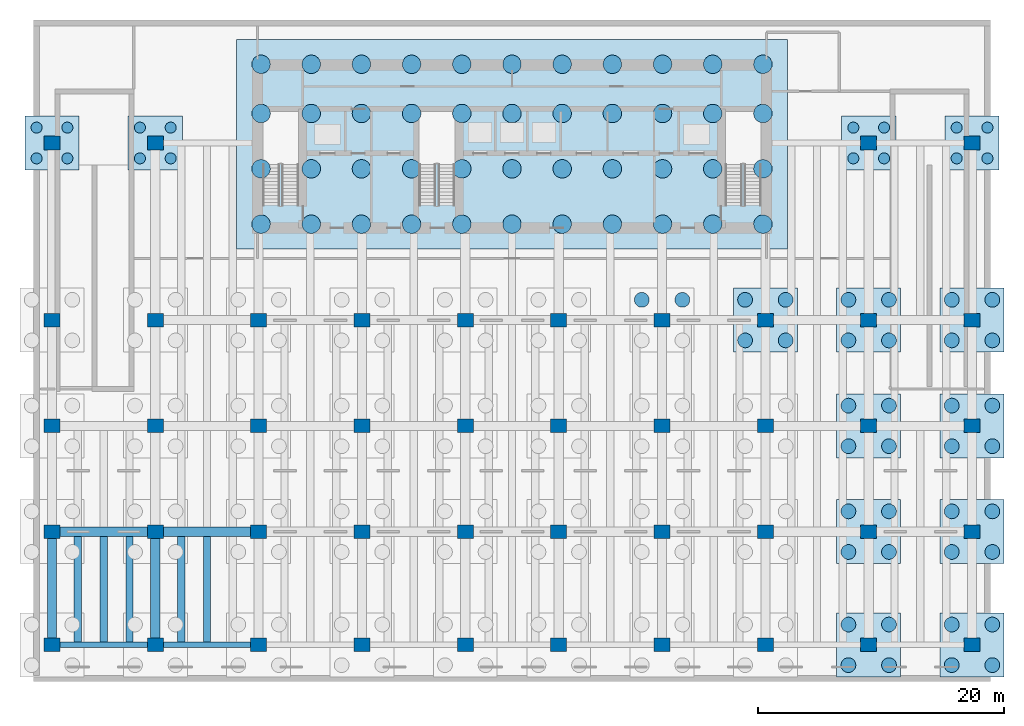
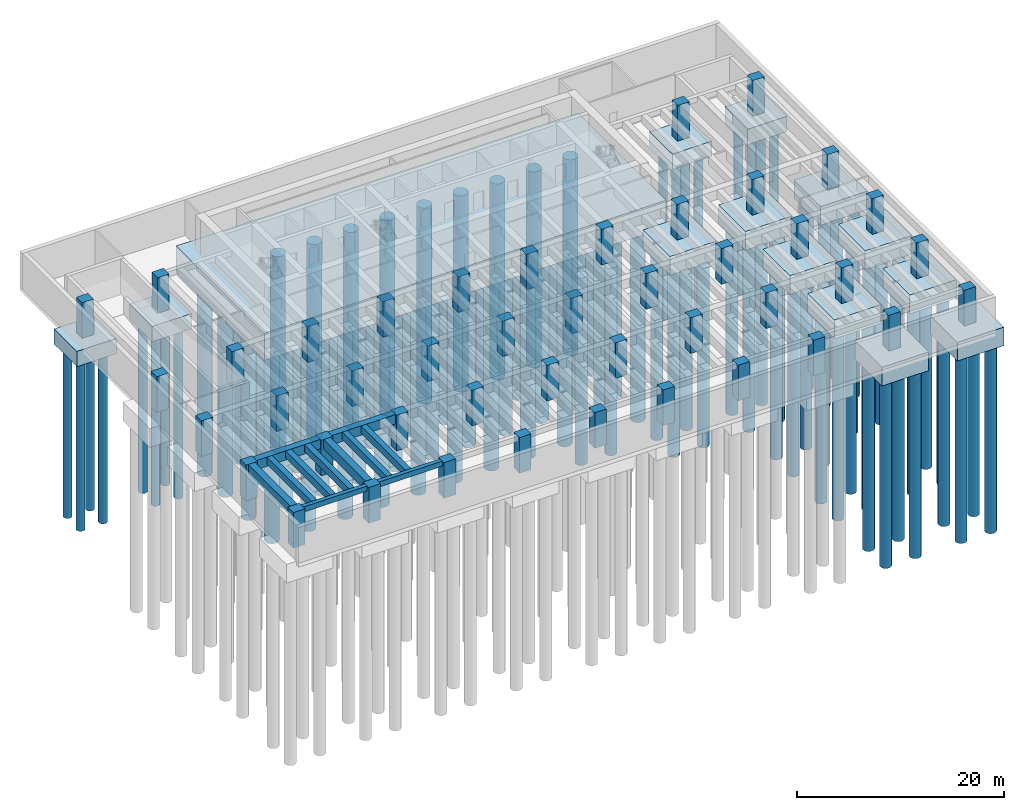
# One storey, part 2 of 10: 98 piles, 44 columns, 14 footings, 11 beams.
"""IFC4 building model written with IfcOpenShell, lengths in metres."""

from ifc_helpers import new_model, si_unit, direction, frame, origin, origin_2d, place, context, subcontext, project, spatial, polyline, rectangle, circle, outline, extrude, material, material_profile, profile_set, type_object, element, save


model = new_model("IFC4")

# Units and contexts
model_context = context("Model", 3, precision=1e-05, world=origin(), true_north=direction((0.0, 1.0)))
body_context = subcontext(model_context, "Body", "Model", "MODEL_VIEW")
ifc_project = project(units=[si_unit("LENGTHUNIT", "METRE"), si_unit("AREAUNIT", "SQUARE_METRE"), si_unit("VOLUMEUNIT", "CUBIC_METRE"), si_unit("PLANEANGLEUNIT", "RADIAN"), si_unit("MASSUNIT", "GRAM", prefix="KILO")], contexts=[model_context])

# Site, building, storey
site_placement = place(None, origin())
site = spatial("IfcSite", under=ifc_project, at=site_placement, CompositionType="ELEMENT")
building_placement = place(site_placement, origin())
building = spatial("IfcBuilding", under=site, at=building_placement, Name="Caelmar Bay Residences", CompositionType="ELEMENT")
storey_placement = place(building_placement, frame((0.0, 0.0, -9.0)))
storey = spatial("IfcBuildingStorey", under=building, at=storey_placement, Name="B02", CompositionType="ELEMENT", Elevation=-9.0)

# Footings
ifc_material_1 = material(Name="Concrete f'c 40 MPa (6,000 psi)", Category="concrete")
footing_type_1 = type_object("IfcFootingType", Name="FC-PC1-3200", PredefinedType="PILE_CAP", material=ifc_material_1)
footing_1_placement = place(storey_placement, frame((0.0, 0.0, -3.199951171875)))
element("IfcFooting", 1, at=footing_1_placement, inside=storey, type_object=footing_type_1, Name="Reinforced concrete pile cap CAP-CORE", PredefinedType="PILE_CAP", context=body_context, shape_type="SweptSolid", body=[
    extrude(outline(polyline([(16.5, 35.199951171875), (61.300048828125, 35.199951171875), (61.300048828125, 52.199951171875), (16.5, 52.199951171875), (16.5, 35.199951171875)])), origin(), (0.0, 0.0, 1.0), 3.199951171875),
])
footing_type_2 = type_object("IfcFootingType", Name="FC-PC2-2200", PredefinedType="PILE_CAP", material=ifc_material_1)
footing_2_placement = place(storey_placement, frame((0.0, 0.0, -2.199951171875)))
element("IfcFooting", 2, at=footing_2_placement, inside=storey, type_object=footing_type_2, Name="Reinforced concrete pile cap CAP-B09", PredefinedType="PILE_CAP", context=body_context, shape_type="SweptSolid", body=[
    extrude(outline(polyline([(65.300048828125, 0.39990234375), (70.5, 0.39990234375), (70.5, 5.60009765625), (65.300048828125, 5.60009765625), (65.300048828125, 0.39990234375)])), origin(), (0.0, 0.0, 1.0), 2.199951171875),
])
footing_3_placement = place(storey_placement, frame((0.0, 0.0, -2.199951171875)))
element("IfcFooting", 3, at=footing_3_placement, inside=storey, type_object=footing_type_2, Name="Reinforced concrete pile cap CAP-B10", PredefinedType="PILE_CAP", context=body_context, shape_type="SweptSolid", body=[
    extrude(outline(polyline([(73.699951171875, 0.39990234375), (78.89990234375, 0.39990234375), (78.89990234375, 5.60009765625), (73.699951171875, 5.60009765625), (73.699951171875, 0.39990234375)])), origin(), (0.0, 0.0, 1.0), 2.199951171875),
])
footing_4_placement = place(storey_placement, frame((0.0, 0.0, -2.199951171875)))
element("IfcFooting", 4, at=footing_4_placement, inside=storey, type_object=footing_type_2, Name="Reinforced concrete pile cap CAP-C09", PredefinedType="PILE_CAP", context=body_context, shape_type="SweptSolid", body=[
    extrude(outline(polyline([(65.300048828125, 9.60009765625), (70.5, 9.60009765625), (70.5, 14.800048828125), (65.300048828125, 14.800048828125), (65.300048828125, 9.60009765625)])), origin(), (0.0, 0.0, 1.0), 2.199951171875),
])
footing_5_placement = place(storey_placement, frame((0.0, 0.0, -2.199951171875)))
element("IfcFooting", 5, at=footing_5_placement, inside=storey, type_object=footing_type_2, Name="Reinforced concrete pile cap CAP-C10", PredefinedType="PILE_CAP", context=body_context, shape_type="SweptSolid", body=[
    extrude(outline(polyline([(73.699951171875, 9.60009765625), (78.89990234375, 9.60009765625), (78.89990234375, 14.800048828125), (73.699951171875, 14.800048828125), (73.699951171875, 9.60009765625)])), origin(), (0.0, 0.0, 1.0), 2.199951171875),
])
footing_6_placement = place(storey_placement, frame((0.0, 0.0, -2.199951171875)))
element("IfcFooting", 6, at=footing_6_placement, inside=storey, type_object=footing_type_2, Name="Reinforced concrete pile cap CAP-D09", PredefinedType="PILE_CAP", context=body_context, shape_type="SweptSolid", body=[
    extrude(outline(polyline([(65.300048828125, 18.199951171875), (70.5, 18.199951171875), (70.5, 23.39990234375), (65.300048828125, 23.39990234375), (65.300048828125, 18.199951171875)])), origin(), (0.0, 0.0, 1.0), 2.199951171875),
])
footing_7_placement = place(storey_placement, frame((0.0, 0.0, -2.199951171875)))
element("IfcFooting", 7, at=footing_7_placement, inside=storey, type_object=footing_type_2, Name="Reinforced concrete pile cap CAP-D10", PredefinedType="PILE_CAP", context=body_context, shape_type="SweptSolid", body=[
    extrude(outline(polyline([(73.699951171875, 18.199951171875), (78.89990234375, 18.199951171875), (78.89990234375, 23.39990234375), (73.699951171875, 23.39990234375), (73.699951171875, 18.199951171875)])), origin(), (0.0, 0.0, 1.0), 2.199951171875),
])
footing_8_placement = place(storey_placement, frame((0.0, 0.0, -2.199951171875)))
element("IfcFooting", 8, at=footing_8_placement, inside=storey, type_object=footing_type_2, Name="Reinforced concrete pile cap CAP-E08", PredefinedType="PILE_CAP", context=body_context, shape_type="SweptSolid", body=[
    extrude(outline(polyline([(56.89990234375, 26.800048828125), (62.10009765625, 26.800048828125), (62.10009765625, 32.0), (56.89990234375, 32.0), (56.89990234375, 26.800048828125)])), origin(), (0.0, 0.0, 1.0), 2.199951171875),
])
footing_9_placement = place(storey_placement, frame((0.0, 0.0, -2.199951171875)))
element("IfcFooting", 9, at=footing_9_placement, inside=storey, type_object=footing_type_2, Name="Reinforced concrete pile cap CAP-E09", PredefinedType="PILE_CAP", context=body_context, shape_type="SweptSolid", body=[
    extrude(outline(polyline([(65.300048828125, 26.800048828125), (70.5, 26.800048828125), (70.5, 32.0), (65.300048828125, 32.0), (65.300048828125, 26.800048828125)])), origin(), (0.0, 0.0, 1.0), 2.199951171875),
])
footing_10_placement = place(storey_placement, frame((0.0, 0.0, -2.199951171875)))
element("IfcFooting", 10, at=footing_10_placement, inside=storey, type_object=footing_type_2, Name="Reinforced concrete pile cap CAP-E10", PredefinedType="PILE_CAP", context=body_context, shape_type="SweptSolid", body=[
    extrude(outline(polyline([(73.699951171875, 26.800048828125), (78.89990234375, 26.800048828125), (78.89990234375, 32.0), (73.699951171875, 32.0), (73.699951171875, 26.800048828125)])), origin(), (0.0, 0.0, 1.0), 2.199951171875),
])
footing_type_3 = type_object("IfcFootingType", Name="FC-PC3-1800", PredefinedType="PILE_CAP", material=ifc_material_1)
footing_11_placement = place(storey_placement, frame((0.0, 0.0, -1.800048828125)))
element("IfcFooting", 11, at=footing_11_placement, inside=storey, type_object=footing_type_3, Name="Reinforced concrete pile cap CAP-NWNE01", PredefinedType="PILE_CAP", context=body_context, shape_type="SweptSolid", body=[
    extrude(outline(polyline([(-0.699951171875, 41.60009765625), (3.699951171875, 41.60009765625), (3.699951171875, 46.0), (-0.699951171875, 46.0), (-0.699951171875, 41.60009765625)])), origin(), (0.0, 0.0, 1.0), 1.800048828125),
])
footing_12_placement = place(storey_placement, frame((0.0, 0.0, -1.800048828125)))
element("IfcFooting", 12, at=footing_12_placement, inside=storey, type_object=footing_type_3, Name="Reinforced concrete pile cap CAP-NWNE02", PredefinedType="PILE_CAP", context=body_context, shape_type="SweptSolid", body=[
    extrude(outline(polyline([(7.699951171875, 41.60009765625), (12.10009765625, 41.60009765625), (12.10009765625, 46.0), (7.699951171875, 46.0), (7.699951171875, 41.60009765625)])), origin(), (0.0, 0.0, 1.0), 1.800048828125),
])
footing_13_placement = place(storey_placement, frame((0.0, 0.0, -1.800048828125)))
element("IfcFooting", 13, at=footing_13_placement, inside=storey, type_object=footing_type_3, Name="Reinforced concrete pile cap CAP-NWNE03", PredefinedType="PILE_CAP", context=body_context, shape_type="SweptSolid", body=[
    extrude(outline(polyline([(65.699951171875, 41.60009765625), (70.10009765625, 41.60009765625), (70.10009765625, 46.0), (65.699951171875, 46.0), (65.699951171875, 41.60009765625)])), origin(), (0.0, 0.0, 1.0), 1.800048828125),
])
footing_14_placement = place(storey_placement, frame((0.0, 0.0, -1.800048828125)))
element("IfcFooting", 14, at=footing_14_placement, inside=storey, type_object=footing_type_3, Name="Reinforced concrete pile cap CAP-NWNE04", PredefinedType="PILE_CAP", context=body_context, shape_type="SweptSolid", body=[
    extrude(outline(polyline([(74.10009765625, 41.60009765625), (78.5, 41.60009765625), (78.5, 46.0), (74.10009765625, 46.0), (74.10009765625, 41.60009765625)])), origin(), (0.0, 0.0, 1.0), 1.800048828125),
])

# Piles
ifc_material_2 = material(Name="Tremie concrete f'c 40 MPa (6,000 psi)", Category="concrete")
ifc_material_profile_1 = material_profile(ifc_material_2, circle(Radius=0.60009765625, at=origin_2d()), Name="PILE-1200D")
ifc_profile_set_1 = profile_set([ifc_material_profile_1], Name="Tremie concrete f'c 40 MPa (6,000 psi)")
pile_type_1 = type_object("IfcPileType", Name="PL-1200", PredefinedType="BORED", material=ifc_profile_set_1)
for number, where, z_axis, x_axis, name in (
    (15, (66.25, 1.35009765625, -2.10009765625), (0.0, 0.0, -1.0), (1.0, 0.0, 0.0), "Rock-socketed bored pile PILE-077"),
    (16, (66.25, 4.64990234375, -2.10009765625), (0.0, 0.0, -1.0), (1.0, 0.0, 0.0), "Rock-socketed bored pile PILE-078"),
    (17, (69.550048828125, 1.35009765625, -2.10009765625), (0.0, 0.0, -1.0), (1.0, 0.0, 0.0), "Rock-socketed bored pile PILE-079"),
    (18, (69.550048828125, 4.64990234375, -2.10009765625), (0.0, 0.0, -1.0), (1.0, 0.0, 0.0), "Rock-socketed bored pile PILE-080"),
    (19, (74.64990234375, 1.35009765625, -2.10009765625), (0.0, 0.0, -1.0), (1.0, 0.0, 0.0), "Rock-socketed bored pile PILE-081"),
    (20, (74.64990234375, 4.64990234375, -2.10009765625), (0.0, 0.0, -1.0), (1.0, 0.0, 0.0), "Rock-socketed bored pile PILE-082"),
    (21, (77.949951171875, 1.35009765625, -2.10009765625), (0.0, 0.0, -1.0), (1.0, 0.0, 0.0), "Rock-socketed bored pile PILE-083"),
    (22, (77.949951171875, 4.64990234375, -2.10009765625), (0.0, 0.0, -1.0), (1.0, 0.0, 0.0), "Rock-socketed bored pile PILE-084"),
    (23, (66.25, 10.550048828125, -2.10009765625), (0.0, 0.0, -1.0), (1.0, 0.0, 0.0), "Rock-socketed bored pile PILE-117"),
    (24, (66.25, 13.85009765625, -2.10009765625), (0.0, 0.0, -1.0), (1.0, 0.0, 0.0), "Rock-socketed bored pile PILE-118"),
    (25, (69.550048828125, 10.550048828125, -2.10009765625), (0.0, 0.0, -1.0), (1.0, 0.0, 0.0), "Rock-socketed bored pile PILE-119"),
    (26, (69.550048828125, 13.85009765625, -2.10009765625), (0.0, 0.0, -1.0), (1.0, 0.0, 0.0), "Rock-socketed bored pile PILE-120"),
    (27, (74.64990234375, 10.550048828125, -2.10009765625), (0.0, 0.0, -1.0), (1.0, 0.0, 0.0), "Rock-socketed bored pile PILE-121"),
    (28, (74.64990234375, 13.85009765625, -2.10009765625), (0.0, 0.0, -1.0), (1.0, 0.0, 0.0), "Rock-socketed bored pile PILE-122"),
    (29, (77.949951171875, 10.550048828125, -2.10009765625), (0.0, 0.0, -1.0), (1.0, 0.0, 0.0), "Rock-socketed bored pile PILE-123"),
    (30, (77.949951171875, 13.85009765625, -2.10009765625), (0.0, 0.0, -1.0), (1.0, 0.0, 0.0), "Rock-socketed bored pile PILE-124"),
    (31, (66.25, 19.14990234375, -2.10009765625), (0.0, 0.0, -1.0), (1.0, 0.0, 0.0), "Rock-socketed bored pile PILE-157"),
    (32, (66.25, 22.449951171875, -2.10009765625), (0.0, 0.0, -1.0), (1.0, 0.0, 0.0), "Rock-socketed bored pile PILE-158"),
    (33, (69.550048828125, 19.14990234375, -2.10009765625), (0.0, 0.0, -1.0), (1.0, 0.0, 0.0), "Rock-socketed bored pile PILE-159"),
    (34, (69.550048828125, 22.449951171875, -2.10009765625), (0.0, 0.0, -1.0), (1.0, 0.0, 0.0), "Rock-socketed bored pile PILE-160"),
    (35, (74.64990234375, 19.14990234375, -2.10009765625), (0.0, 0.0, -1.0), (1.0, 0.0, 0.0), "Rock-socketed bored pile PILE-161"),
    (36, (74.64990234375, 22.449951171875, -2.10009765625), (0.0, 0.0, -1.0), (1.0, 0.0, 0.0), "Rock-socketed bored pile PILE-162"),
    (37, (77.949951171875, 19.14990234375, -2.10009765625), (0.0, 0.0, -1.0), (1.0, 0.0, 0.0), "Rock-socketed bored pile PILE-163"),
    (38, (77.949951171875, 22.449951171875, -2.10009765625), (0.0, 0.0, -1.0), (1.0, 0.0, 0.0), "Rock-socketed bored pile PILE-164"),
    (39, (49.449951171875, 31.050048828125, -2.10009765625), (0.0, 0.0, -1.0), (1.0, 0.0, 0.0), "Rock-socketed bored pile PILE-190"),
    (40, (52.75, 31.050048828125, -2.10009765625), (0.0, 0.0, -1.0), (1.0, 0.0, 0.0), "Rock-socketed bored pile PILE-192"),
    (41, (57.85009765625, 27.75, -2.10009765625), (0.0, 0.0, -1.0), (1.0, 0.0, 0.0), "Rock-socketed bored pile PILE-193"),
    (42, (57.85009765625, 31.050048828125, -2.10009765625), (0.0, 0.0, -1.0), (1.0, 0.0, 0.0), "Rock-socketed bored pile PILE-194"),
    (43, (61.14990234375, 27.75, -2.10009765625), (0.0, 0.0, -1.0), (1.0, 0.0, 0.0), "Rock-socketed bored pile PILE-195"),
    (44, (61.14990234375, 31.050048828125, -2.10009765625), (0.0, 0.0, -1.0), (1.0, 0.0, 0.0), "Rock-socketed bored pile PILE-196"),
    (45, (66.25, 27.75, -2.10009765625), (0.0, 0.0, -1.0), (1.0, 0.0, 0.0), "Rock-socketed bored pile PILE-197"),
    (46, (66.25, 31.050048828125, -2.10009765625), (0.0, 0.0, -1.0), (1.0, 0.0, 0.0), "Rock-socketed bored pile PILE-198"),
    (47, (69.550048828125, 27.75, -2.10009765625), (0.0, 0.0, -1.0), (1.0, 0.0, 0.0), "Rock-socketed bored pile PILE-199"),
    (48, (69.550048828125, 31.050048828125, -2.10009765625), (0.0, 0.0, -1.0), (1.0, 0.0, 0.0), "Rock-socketed bored pile PILE-200"),
    (49, (74.64990234375, 27.75, -2.10009765625), (0.0, 0.0, -1.0), (1.0, 0.0, 0.0), "Rock-socketed bored pile PILE-201"),
    (50, (74.64990234375, 31.050048828125, -2.10009765625), (0.0, 0.0, -1.0), (1.0, 0.0, 0.0), "Rock-socketed bored pile PILE-202"),
    (51, (77.949951171875, 27.75, -2.10009765625), (0.0, 0.0, -1.0), (1.0, 0.0, 0.0), "Rock-socketed bored pile PILE-203"),
    (52, (77.949951171875, 31.050048828125, -2.10009765625), (0.0, 0.0, -1.0), (1.0, 0.0, 0.0), "Rock-socketed bored pile PILE-204"),
):
    element("IfcPile", number, at=place(storey_placement, frame(where, z_axis=z_axis, x_axis=x_axis)), inside=storey, type_object=pile_type_1, Name=name, PredefinedType="BORED", context=body_context, shape_type="SweptSolid", body=[
        extrude(circle(Radius=0.60009765625, at=origin_2d()), origin(), (0.0, 0.0, 1.0), 22.10009765625),
    ])
ifc_material_profile_2 = material_profile(ifc_material_2, circle(Radius=0.75, at=origin_2d()), Name="PILE-1500D")
ifc_profile_set_2 = profile_set([ifc_material_profile_2], Name="Tremie concrete f'c 40 MPa (6,000 psi)")
pile_type_2 = type_object("IfcPileType", Name="PL-1500", PredefinedType="BORED", material=ifc_profile_set_2)
for number, where, z_axis, x_axis, name in (
    (53, (18.5, 37.199951171875, -3.10009765625), (0.0, 0.0, -1.0), (1.0, 0.0, 0.0), "Rock-socketed bored pile PILE-001"),
    (54, (18.5, 41.699951171875, -3.10009765625), (0.0, 0.0, -1.0), (1.0, 0.0, 0.0), "Rock-socketed bored pile PILE-002"),
    (55, (18.5, 46.199951171875, -3.10009765625), (0.0, 0.0, -1.0), (1.0, 0.0, 0.0), "Rock-socketed bored pile PILE-003"),
    (56, (18.5, 50.199951171875, -3.10009765625), (0.0, 0.0, -1.0), (1.0, 0.0, 0.0), "Rock-socketed bored pile PILE-004"),
    (57, (22.580078125, 37.199951171875, -3.10009765625), (0.0, 0.0, -1.0), (1.0, 0.0, 0.0), "Rock-socketed bored pile PILE-005"),
    (58, (22.580078125, 41.699951171875, -3.10009765625), (0.0, 0.0, -1.0), (1.0, 0.0, 0.0), "Rock-socketed bored pile PILE-006"),
    (59, (22.580078125, 46.199951171875, -3.10009765625), (0.0, 0.0, -1.0), (1.0, 0.0, 0.0), "Rock-socketed bored pile PILE-007"),
    (60, (22.580078125, 50.199951171875, -3.10009765625), (0.0, 0.0, -1.0), (1.0, 0.0, 0.0), "Rock-socketed bored pile PILE-008"),
    (61, (26.659912109375, 37.199951171875, -3.10009765625), (0.0, 0.0, -1.0), (1.0, 0.0, 0.0), "Rock-socketed bored pile PILE-009"),
    (62, (26.659912109375, 41.699951171875, -3.10009765625), (0.0, 0.0, -1.0), (1.0, 0.0, 0.0), "Rock-socketed bored pile PILE-010"),
    (63, (26.659912109375, 46.199951171875, -3.10009765625), (0.0, 0.0, -1.0), (1.0, 0.0, 0.0), "Rock-socketed bored pile PILE-011"),
    (64, (26.659912109375, 50.199951171875, -3.10009765625), (0.0, 0.0, -1.0), (1.0, 0.0, 0.0), "Rock-socketed bored pile PILE-012"),
    (65, (30.739990234375, 37.199951171875, -3.10009765625), (0.0, 0.0, -1.0), (1.0, 0.0, 0.0), "Rock-socketed bored pile PILE-013"),
    (66, (30.739990234375, 41.699951171875, -3.10009765625), (0.0, 0.0, -1.0), (1.0, 0.0, 0.0), "Rock-socketed bored pile PILE-014"),
    (67, (30.739990234375, 46.199951171875, -3.10009765625), (0.0, 0.0, -1.0), (1.0, 0.0, 0.0), "Rock-socketed bored pile PILE-015"),
    (68, (30.739990234375, 50.199951171875, -3.10009765625), (0.0, 0.0, -1.0), (1.0, 0.0, 0.0), "Rock-socketed bored pile PILE-016"),
    (69, (34.820068359375, 37.199951171875, -3.10009765625), (0.0, 0.0, -1.0), (1.0, 0.0, 0.0), "Rock-socketed bored pile PILE-017"),
    (70, (34.820068359375, 41.699951171875, -3.10009765625), (0.0, 0.0, -1.0), (1.0, 0.0, 0.0), "Rock-socketed bored pile PILE-018"),
    (71, (34.820068359375, 46.199951171875, -3.10009765625), (0.0, 0.0, -1.0), (1.0, 0.0, 0.0), "Rock-socketed bored pile PILE-019"),
    (72, (34.820068359375, 50.199951171875, -3.10009765625), (0.0, 0.0, -1.0), (1.0, 0.0, 0.0), "Rock-socketed bored pile PILE-020"),
    (73, (38.89990234375, 37.199951171875, -3.10009765625), (0.0, 0.0, -1.0), (1.0, 0.0, 0.0), "Rock-socketed bored pile PILE-021"),
    (74, (38.89990234375, 41.699951171875, -3.10009765625), (0.0, 0.0, -1.0), (1.0, 0.0, 0.0), "Rock-socketed bored pile PILE-022"),
    (75, (38.89990234375, 46.199951171875, -3.10009765625), (0.0, 0.0, -1.0), (1.0, 0.0, 0.0), "Rock-socketed bored pile PILE-023"),
    (76, (38.89990234375, 50.199951171875, -3.10009765625), (0.0, 0.0, -1.0), (1.0, 0.0, 0.0), "Rock-socketed bored pile PILE-024"),
    (77, (42.97998046875, 37.199951171875, -3.10009765625), (0.0, 0.0, -1.0), (1.0, 0.0, 0.0), "Rock-socketed bored pile PILE-025"),
    (78, (42.97998046875, 41.699951171875, -3.10009765625), (0.0, 0.0, -1.0), (1.0, 0.0, 0.0), "Rock-socketed bored pile PILE-026"),
    (79, (42.97998046875, 46.199951171875, -3.10009765625), (0.0, 0.0, -1.0), (1.0, 0.0, 0.0), "Rock-socketed bored pile PILE-027"),
    (80, (42.97998046875, 50.199951171875, -3.10009765625), (0.0, 0.0, -1.0), (1.0, 0.0, 0.0), "Rock-socketed bored pile PILE-028"),
    (81, (47.06005859375, 37.199951171875, -3.10009765625), (0.0, 0.0, -1.0), (1.0, 0.0, 0.0), "Rock-socketed bored pile PILE-029"),
    (82, (47.06005859375, 41.699951171875, -3.10009765625), (0.0, 0.0, -1.0), (1.0, 0.0, 0.0), "Rock-socketed bored pile PILE-030"),
    (83, (47.06005859375, 46.199951171875, -3.10009765625), (0.0, 0.0, -1.0), (1.0, 0.0, 0.0), "Rock-socketed bored pile PILE-031"),
    (84, (47.06005859375, 50.199951171875, -3.10009765625), (0.0, 0.0, -1.0), (1.0, 0.0, 0.0), "Rock-socketed bored pile PILE-032"),
    (85, (51.139892578125, 37.199951171875, -3.10009765625), (0.0, 0.0, -1.0), (1.0, 0.0, 0.0), "Rock-socketed bored pile PILE-033"),
    (86, (51.139892578125, 41.699951171875, -3.10009765625), (0.0, 0.0, -1.0), (1.0, 0.0, 0.0), "Rock-socketed bored pile PILE-034"),
    (87, (51.139892578125, 46.199951171875, -3.10009765625), (0.0, 0.0, -1.0), (1.0, 0.0, 0.0), "Rock-socketed bored pile PILE-035"),
    (88, (51.139892578125, 50.199951171875, -3.10009765625), (0.0, 0.0, -1.0), (1.0, 0.0, 0.0), "Rock-socketed bored pile PILE-036"),
    (89, (55.219970703125, 37.199951171875, -3.10009765625), (0.0, 0.0, -1.0), (1.0, 0.0, 0.0), "Rock-socketed bored pile PILE-037"),
    (90, (55.219970703125, 41.699951171875, -3.10009765625), (0.0, 0.0, -1.0), (1.0, 0.0, 0.0), "Rock-socketed bored pile PILE-038"),
    (91, (55.219970703125, 46.199951171875, -3.10009765625), (0.0, 0.0, -1.0), (1.0, 0.0, 0.0), "Rock-socketed bored pile PILE-039"),
    (92, (55.219970703125, 50.199951171875, -3.10009765625), (0.0, 0.0, -1.0), (1.0, 0.0, 0.0), "Rock-socketed bored pile PILE-040"),
    (93, (59.300048828125, 37.199951171875, -3.10009765625), (0.0, 0.0, -1.0), (1.0, 0.0, 0.0), "Rock-socketed bored pile PILE-041"),
    (94, (59.300048828125, 41.699951171875, -3.10009765625), (0.0, 0.0, -1.0), (1.0, 0.0, 0.0), "Rock-socketed bored pile PILE-042"),
    (95, (59.300048828125, 46.199951171875, -3.10009765625), (0.0, 0.0, -1.0), (1.0, 0.0, 0.0), "Rock-socketed bored pile PILE-043"),
    (96, (59.300048828125, 50.199951171875, -3.10009765625), (0.0, 0.0, -1.0), (1.0, 0.0, 0.0), "Rock-socketed bored pile PILE-044"),
):
    element("IfcPile", number, at=place(storey_placement, frame(where, z_axis=z_axis, x_axis=x_axis)), inside=storey, type_object=pile_type_2, Name=name, PredefinedType="BORED", context=body_context, shape_type="SweptSolid", body=[
        extrude(circle(Radius=0.75, at=origin_2d()), origin(), (0.0, 0.0, 1.0), 23.10009765625),
    ])
ifc_material_profile_3 = material_profile(ifc_material_2, circle(Radius=0.449951171875, at=origin_2d()), Name="PILE-900D")
ifc_profile_set_3 = profile_set([ifc_material_profile_3], Name="Tremie concrete f'c 40 MPa (6,000 psi)")
pile_type_3 = type_object("IfcPileType", Name="PL-900", PredefinedType="BORED", material=ifc_profile_set_3)
for number, where, z_axis, x_axis, name in (
    (97, (0.25, 42.550048828125, -1.699951171875), (0.0, 0.0, -1.0), (1.0, 0.0, 0.0), "Rock-socketed bored pile PILE-205"),
    (98, (0.25, 45.050048828125, -1.699951171875), (0.0, 0.0, -1.0), (1.0, 0.0, 0.0), "Rock-socketed bored pile PILE-206"),
    (99, (2.75, 42.550048828125, -1.699951171875), (0.0, 0.0, -1.0), (1.0, 0.0, 0.0), "Rock-socketed bored pile PILE-207"),
    (100, (2.75, 45.050048828125, -1.699951171875), (0.0, 0.0, -1.0), (1.0, 0.0, 0.0), "Rock-socketed bored pile PILE-208"),
    (101, (8.64990234375, 42.550048828125, -1.699951171875), (0.0, 0.0, -1.0), (1.0, 0.0, 0.0), "Rock-socketed bored pile PILE-209"),
    (102, (8.64990234375, 45.050048828125, -1.699951171875), (0.0, 0.0, -1.0), (1.0, 0.0, 0.0), "Rock-socketed bored pile PILE-210"),
    (103, (11.14990234375, 42.550048828125, -1.699951171875), (0.0, 0.0, -1.0), (1.0, 0.0, 0.0), "Rock-socketed bored pile PILE-211"),
    (104, (11.14990234375, 45.050048828125, -1.699951171875), (0.0, 0.0, -1.0), (1.0, 0.0, 0.0), "Rock-socketed bored pile PILE-212"),
    (105, (66.64990234375, 42.550048828125, -1.699951171875), (0.0, 0.0, -1.0), (1.0, 0.0, 0.0), "Rock-socketed bored pile PILE-213"),
    (106, (66.64990234375, 45.050048828125, -1.699951171875), (0.0, 0.0, -1.0), (1.0, 0.0, 0.0), "Rock-socketed bored pile PILE-214"),
    (107, (69.14990234375, 42.550048828125, -1.699951171875), (0.0, 0.0, -1.0), (1.0, 0.0, 0.0), "Rock-socketed bored pile PILE-215"),
    (108, (69.14990234375, 45.050048828125, -1.699951171875), (0.0, 0.0, -1.0), (1.0, 0.0, 0.0), "Rock-socketed bored pile PILE-216"),
    (109, (75.050048828125, 42.550048828125, -1.699951171875), (0.0, 0.0, -1.0), (1.0, 0.0, 0.0), "Rock-socketed bored pile PILE-217"),
    (110, (75.050048828125, 45.050048828125, -1.699951171875), (0.0, 0.0, -1.0), (1.0, 0.0, 0.0), "Rock-socketed bored pile PILE-218"),
    (111, (77.550048828125, 42.550048828125, -1.699951171875), (0.0, 0.0, -1.0), (1.0, 0.0, 0.0), "Rock-socketed bored pile PILE-219"),
    (112, (77.550048828125, 45.050048828125, -1.699951171875), (0.0, 0.0, -1.0), (1.0, 0.0, 0.0), "Rock-socketed bored pile PILE-220"),
):
    element("IfcPile", number, at=place(storey_placement, frame(where, z_axis=z_axis, x_axis=x_axis)), inside=storey, type_object=pile_type_3, Name=name, PredefinedType="BORED", context=body_context, shape_type="SweptSolid", body=[
        extrude(circle(Radius=0.449951171875, at=origin_2d()), origin(), (0.0, 0.0, 1.0), 20.10009765625),
    ])

# Columns
ifc_material_3 = material(Name="Concrete f'c 70 MPa (10,000 psi)", Category="concrete")
ifc_material_profile_4 = material_profile(ifc_material_3, rectangle(XDim=1.300048828125, YDim=1.10009765625, at=origin_2d()), Name="RC-COL-1300X1100")
ifc_profile_set_4 = profile_set([ifc_material_profile_4], Name="Concrete f'c 70 MPa (10,000 psi)")
column_type = type_object("IfcColumnType", Name="COL-RC-1300X1100", PredefinedType="COLUMN", material=ifc_profile_set_4)
for number, where, z_axis, x_axis, name in (
    (113, (1.5, 3.0, 0.0), (0.0, 0.0, 1.0), (1.0, 0.0, 0.0), "B02 Column (1.50,3.00)"),
    (114, (9.89990234375, 3.0, 0.0), (0.0, 0.0, 1.0), (1.0, 0.0, 0.0), "B02 Column (9.90,3.00)"),
    (115, (18.300048828125, 3.0, 0.0), (0.0, 0.0, 1.0), (1.0, 0.0, 0.0), "B02 Column (18.30,3.00)"),
    (116, (26.699951171875, 3.0, 0.0), (0.0, 0.0, 1.0), (1.0, 0.0, 0.0), "B02 Column (26.70,3.00)"),
    (117, (35.10009765625, 3.0, 0.0), (0.0, 0.0, 1.0), (1.0, 0.0, 0.0), "B02 Column (35.10,3.00)"),
    (118, (42.699951171875, 3.0, 0.0), (0.0, 0.0, 1.0), (1.0, 0.0, 0.0), "B02 Column (42.70,3.00)"),
    (119, (51.10009765625, 3.0, 0.0), (0.0, 0.0, 1.0), (1.0, 0.0, 0.0), "B02 Column (51.10,3.00)"),
    (120, (59.5, 3.0, 0.0), (0.0, 0.0, 1.0), (1.0, 0.0, 0.0), "B02 Column (59.50,3.00)"),
    (121, (67.89990234375, 3.0, 0.0), (0.0, 0.0, 1.0), (1.0, 0.0, 0.0), "B02 Column (67.90,3.00)"),
    (122, (76.300048828125, 3.0, 0.0), (0.0, 0.0, 1.0), (1.0, 0.0, 0.0), "B02 Column (76.30,3.00)"),
    (123, (1.5, 12.199951171875, 0.0), (0.0, 0.0, 1.0), (1.0, 0.0, 0.0), "B02 Column (1.50,12.20)"),
    (124, (9.89990234375, 12.199951171875, 0.0), (0.0, 0.0, 1.0), (1.0, 0.0, 0.0), "B02 Column (9.90,12.20)"),
    (125, (18.300048828125, 12.199951171875, 0.0), (0.0, 0.0, 1.0), (1.0, 0.0, 0.0), "B02 Column (18.30,12.20)"),
    (126, (26.699951171875, 12.199951171875, 0.0), (0.0, 0.0, 1.0), (1.0, 0.0, 0.0), "B02 Column (26.70,12.20)"),
    (127, (35.10009765625, 12.199951171875, 0.0), (0.0, 0.0, 1.0), (1.0, 0.0, 0.0), "B02 Column (35.10,12.20)"),
    (128, (42.699951171875, 12.199951171875, 0.0), (0.0, 0.0, 1.0), (1.0, 0.0, 0.0), "B02 Column (42.70,12.20)"),
    (129, (51.10009765625, 12.199951171875, 0.0), (0.0, 0.0, 1.0), (1.0, 0.0, 0.0), "B02 Column (51.10,12.20)"),
    (130, (59.5, 12.199951171875, 0.0), (0.0, 0.0, 1.0), (1.0, 0.0, 0.0), "B02 Column (59.50,12.20)"),
    (131, (67.89990234375, 12.199951171875, 0.0), (0.0, 0.0, 1.0), (1.0, 0.0, 0.0), "B02 Column (67.90,12.20)"),
    (132, (76.300048828125, 12.199951171875, 0.0), (0.0, 0.0, 1.0), (1.0, 0.0, 0.0), "B02 Column (76.30,12.20)"),
    (133, (1.5, 20.800048828125, 0.0), (0.0, 0.0, 1.0), (1.0, 0.0, 0.0), "B02 Column (1.50,20.80)"),
    (134, (9.89990234375, 20.800048828125, 0.0), (0.0, 0.0, 1.0), (1.0, 0.0, 0.0), "B02 Column (9.90,20.80)"),
    (135, (18.300048828125, 20.800048828125, 0.0), (0.0, 0.0, 1.0), (1.0, 0.0, 0.0), "B02 Column (18.30,20.80)"),
    (136, (26.699951171875, 20.800048828125, 0.0), (0.0, 0.0, 1.0), (1.0, 0.0, 0.0), "B02 Column (26.70,20.80)"),
    (137, (35.10009765625, 20.800048828125, 0.0), (0.0, 0.0, 1.0), (1.0, 0.0, 0.0), "B02 Column (35.10,20.80)"),
    (138, (42.699951171875, 20.800048828125, 0.0), (0.0, 0.0, 1.0), (1.0, 0.0, 0.0), "B02 Column (42.70,20.80)"),
    (139, (51.10009765625, 20.800048828125, 0.0), (0.0, 0.0, 1.0), (1.0, 0.0, 0.0), "B02 Column (51.10,20.80)"),
    (140, (59.5, 20.800048828125, 0.0), (0.0, 0.0, 1.0), (1.0, 0.0, 0.0), "B02 Column (59.50,20.80)"),
    (141, (67.89990234375, 20.800048828125, 0.0), (0.0, 0.0, 1.0), (1.0, 0.0, 0.0), "B02 Column (67.90,20.80)"),
    (142, (76.300048828125, 20.800048828125, 0.0), (0.0, 0.0, 1.0), (1.0, 0.0, 0.0), "B02 Column (76.30,20.80)"),
    (143, (1.5, 29.39990234375, 0.0), (0.0, 0.0, 1.0), (1.0, 0.0, 0.0), "B02 Column (1.50,29.40)"),
    (144, (9.89990234375, 29.39990234375, 0.0), (0.0, 0.0, 1.0), (1.0, 0.0, 0.0), "B02 Column (9.90,29.40)"),
    (145, (18.300048828125, 29.39990234375, 0.0), (0.0, 0.0, 1.0), (1.0, 0.0, 0.0), "B02 Column (18.30,29.40)"),
    (146, (26.699951171875, 29.39990234375, 0.0), (0.0, 0.0, 1.0), (1.0, 0.0, 0.0), "B02 Column (26.70,29.40)"),
    (147, (35.10009765625, 29.39990234375, 0.0), (0.0, 0.0, 1.0), (1.0, 0.0, 0.0), "B02 Column (35.10,29.40)"),
    (148, (42.699951171875, 29.39990234375, 0.0), (0.0, 0.0, 1.0), (1.0, 0.0, 0.0), "B02 Column (42.70,29.40)"),
    (149, (51.10009765625, 29.39990234375, 0.0), (0.0, 0.0, 1.0), (1.0, 0.0, 0.0), "B02 Column (51.10,29.40)"),
    (150, (59.5, 29.39990234375, 0.0), (0.0, 0.0, 1.0), (1.0, 0.0, 0.0), "B02 Column (59.50,29.40)"),
    (151, (67.89990234375, 29.39990234375, 0.0), (0.0, 0.0, 1.0), (1.0, 0.0, 0.0), "B02 Column (67.90,29.40)"),
    (152, (76.300048828125, 29.39990234375, 0.0), (0.0, 0.0, 1.0), (1.0, 0.0, 0.0), "B02 Column (76.30,29.40)"),
    (153, (1.5, 43.800048828125, 0.0), (0.0, 0.0, 1.0), (1.0, 0.0, 0.0), "B02 Column (1.50,43.80)"),
    (154, (9.89990234375, 43.800048828125, 0.0), (0.0, 0.0, 1.0), (1.0, 0.0, 0.0), "B02 Column (9.90,43.80)"),
    (155, (67.89990234375, 43.800048828125, 0.0), (0.0, 0.0, 1.0), (1.0, 0.0, 0.0), "B02 Column (67.90,43.80)"),
    (156, (76.300048828125, 43.800048828125, 0.0), (0.0, 0.0, 1.0), (1.0, 0.0, 0.0), "B02 Column (76.30,43.80)"),
):
    element("IfcColumn", number, at=place(storey_placement, frame(where, z_axis=z_axis, x_axis=x_axis)), inside=storey, type_object=column_type, Name=name, PredefinedType="COLUMN", context=body_context, shape_type="SweptSolid", body=[
        extrude(rectangle(XDim=1.300048828125, YDim=1.10009765625, at=origin_2d()), origin(), (0.0, 0.0, 1.0), 4.199951171875),
    ])

# Beams
ifc_material_profile_5 = material_profile(ifc_material_1, rectangle(XDim=0.449951171875, YDim=0.60009765625, at=origin_2d()), Name="RC-BM-450X600")
ifc_profile_set_5 = profile_set([ifc_material_profile_5], Name="Concrete f'c 40 MPa (6,000 psi)")
beam_type_1 = type_object("IfcBeamType", Name="BM-RC-450X600", PredefinedType="SPANDREL", material=ifc_profile_set_5)
for number, where, z_axis, x_axis, name in (
    (157, (2.0400390625, 3.0, 3.89990234375), (1.0, 0.0, 0.0), (0.0, 1.0, 0.0), "B02 East-West Girder Y=3.00 (1.5-9.9)"),
    (158, (10.43994140625, 3.0, 3.89990234375), (1.0, 0.0, 0.0), (0.0, 1.0, 0.0), "B02 East-West Girder Y=3.00 (9.9-18.3)"),
):
    element("IfcBeam", number, at=place(storey_placement, frame(where, z_axis=z_axis, x_axis=x_axis)), inside=storey, type_object=beam_type_1, Name=name, PredefinedType="SPANDREL", context=body_context, shape_type="SweptSolid", body=[
        extrude(rectangle(XDim=0.449951171875, YDim=0.60009765625, at=origin_2d()), origin(), (0.0, 0.0, 1.0), 7.320068359375),
    ])
ifc_material_profile_6 = material_profile(ifc_material_3, rectangle(XDim=0.60009765625, YDim=0.85009765625, at=origin_2d()), Name="RC-BM-600X850")
ifc_profile_set_6 = profile_set([ifc_material_profile_6], Name="Concrete f'c 70 MPa (10,000 psi)")
beam_type_2 = type_object("IfcBeamType", Name="BM-RC-600X850", PredefinedType="BEAM", material=ifc_profile_set_6)
for number, where, z_axis, x_axis, name in (
    (159, (3.60009765625, 3.22509765625, 3.77490234375), (0.0, 1.0, 0.0), (-1.0, 0.0, 0.0), "B02 Composite Floor Joist 1"),
    (160, (5.699951171875, 3.22509765625, 3.77490234375), (0.0, 1.0, 0.0), (-1.0, 0.0, 0.0), "B02 Composite Floor Joist 2"),
    (161, (7.800048828125, 3.22509765625, 3.77490234375), (0.0, 1.0, 0.0), (-1.0, 0.0, 0.0), "B02 Composite Floor Joist 3"),
    (162, (12.0, 3.22509765625, 3.77490234375), (0.0, 1.0, 0.0), (-1.0, 0.0, 0.0), "B02 Composite Floor Joist 4"),
    (163, (14.10009765625, 3.22509765625, 3.77490234375), (0.0, 1.0, 0.0), (-1.0, 0.0, 0.0), "B02 Composite Floor Joist 5"),
):
    element("IfcBeam", number, at=place(storey_placement, frame(where, z_axis=z_axis, x_axis=x_axis)), inside=storey, type_object=beam_type_2, Name=name, PredefinedType="BEAM", context=body_context, shape_type="SweptSolid", body=[
        extrude(rectangle(XDim=0.60009765625, YDim=0.85009765625, at=origin_2d()), origin(), (0.0, 0.0, 1.0), 8.599853515625),
    ])
ifc_material_profile_7 = material_profile(ifc_material_3, rectangle(XDim=0.75, YDim=1.10009765625, at=origin_2d()), Name="RC-BM-750X1100")
ifc_profile_set_7 = profile_set([ifc_material_profile_7], Name="Concrete f'c 70 MPa (10,000 psi)")
beam_type_3 = type_object("IfcBeamType", Name="BM-RC-750X1100", PredefinedType="BEAM", material=ifc_profile_set_7)
for number, where, z_axis, x_axis, name in (
    (164, (2.0400390625, 12.199951171875, 3.64990234375), (1.0, 0.0, 0.0), (0.0, 1.0, 0.0), "B02 East-West Girder Y=12.20 (1.5-9.9)"),
    (165, (10.43994140625, 12.199951171875, 3.64990234375), (1.0, 0.0, 0.0), (0.0, 1.0, 0.0), "B02 East-West Girder Y=12.20 (9.9-18.3)"),
):
    element("IfcBeam", number, at=place(storey_placement, frame(where, z_axis=z_axis, x_axis=x_axis)), inside=storey, type_object=beam_type_3, Name=name, PredefinedType="BEAM", context=body_context, shape_type="SweptSolid", body=[
        extrude(rectangle(XDim=0.75, YDim=1.10009765625, at=origin_2d()), origin(), (0.0, 0.0, 1.0), 7.320068359375),
    ])
for number, where, z_axis, x_axis, name in (
    (166, (1.5, 3.5400390625, 3.64990234375), (0.0, 1.0, 0.0), (-1.0, 0.0, 0.0), "B02 North-South Girder X=1.50 (3.0-12.2)"),
    (167, (9.89990234375, 3.5400390625, 3.64990234375), (0.0, 1.0, 0.0), (-1.0, 0.0, 0.0), "B02 North-South Girder X=9.90 (3.0-12.2)"),
):
    element("IfcBeam", number, at=place(storey_placement, frame(where, z_axis=z_axis, x_axis=x_axis)), inside=storey, type_object=beam_type_3, Name=name, PredefinedType="BEAM", context=body_context, shape_type="SweptSolid", body=[
        extrude(rectangle(XDim=0.75, YDim=1.10009765625, at=origin_2d()), origin(), (0.0, 0.0, 1.0), 8.119873046875),
    ])

save(model, "model.ifc")
